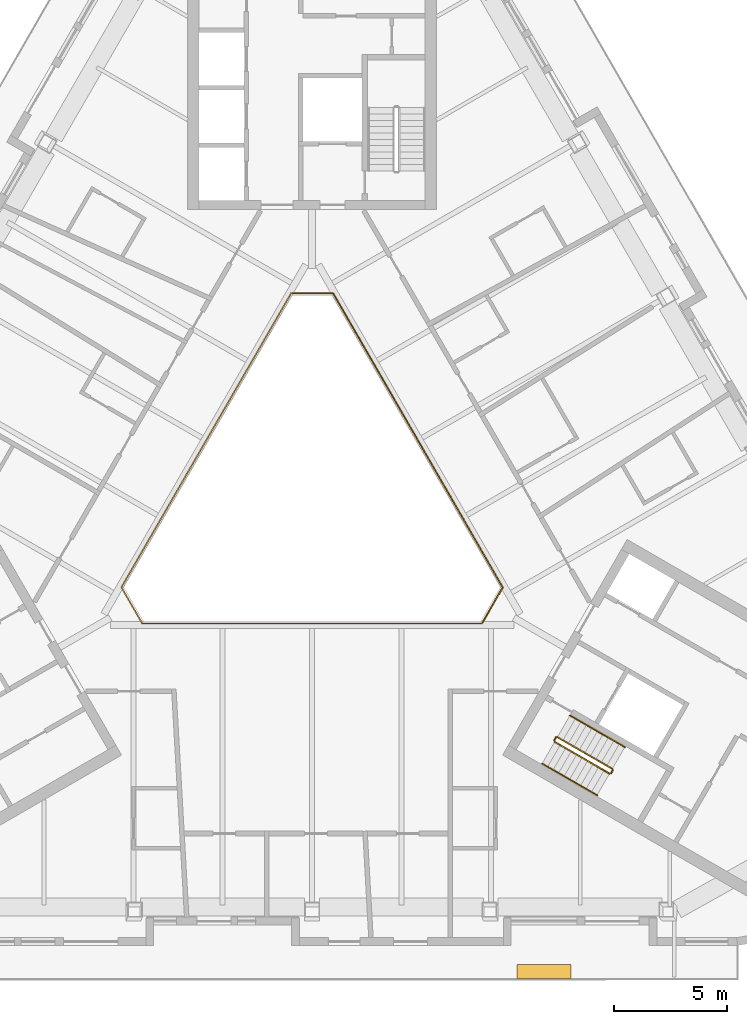
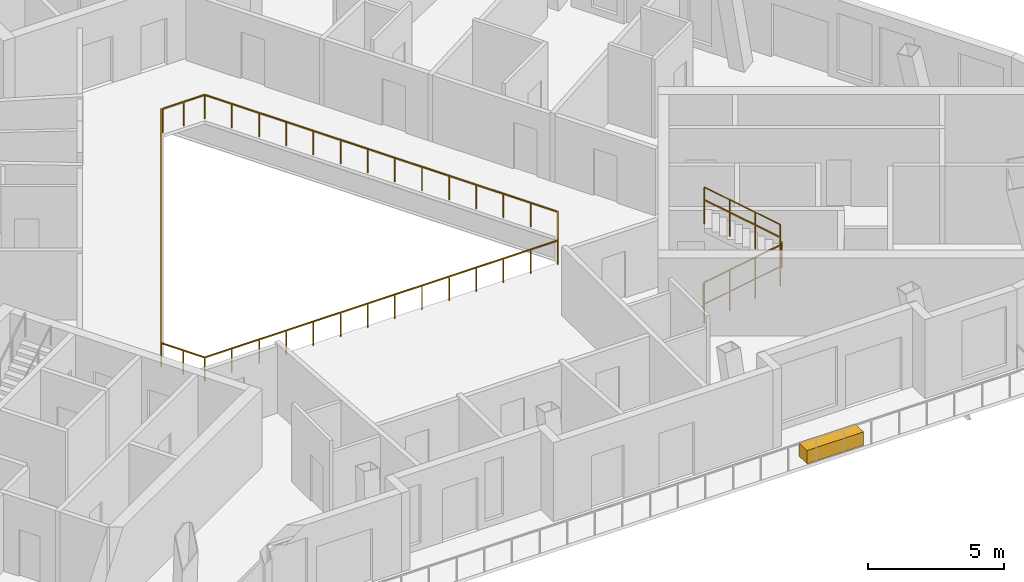
# One storey, part 12 of 14: 8 railings, 1 covering.
"""IFC4 building model written with IfcOpenShell, lengths in metres."""

import ifcopenshell
import ifcopenshell.guid

model = None  # the IFC model being written
_history = None  # IfcOwnerHistory: only IFC2X3 demands one
_inside = {}  # id of a spatial element -> (the spatial element, [elements in it])
_under = {}  # id of a project, library or spatial element -> (it, [spatial elements below it])
_declared = {}  # id of a project -> (the project, [libraries it declares])
_typed = {}  # id of a type object -> (the type object, [elements of that type])
_made_of = {}  # id of a material, layer set ... -> (it, [elements and type objects made of it])


def new_model(schema):
    """Start an empty IFC model of exactly this schema.

    Asked for "IFC4X3", IfcOpenShell would pick the latest addendum, in which some entities
    have other attributes; the version numbers below select the first issue.
    IFC2X3 requires an IfcOwnerHistory on every rooted entity: one is made here for all.
    """
    global model, _history
    if schema == "IFC4X3":
        model = ifcopenshell.file(schema_version=(4, 3, 0, 0))
    else:
        model = ifcopenshell.file(schema=schema)
    _inside.clear()
    _under.clear()
    _declared.clear()
    _typed.clear()
    _made_of.clear()
    _history = None
    if model.schema == "IFC2X3":
        org = make("IfcOrganization", Name="unknown")
        user = make(
            "IfcPersonAndOrganization",
            ThePerson=make("IfcPerson", FamilyName="unknown"),
            TheOrganization=org,
        )
        app = make(
            "IfcApplication",
            ApplicationDeveloper=org,
            Version="unknown",
            ApplicationFullName="unknown",
            ApplicationIdentifier="unknown",
        )
        _history = make(
            "IfcOwnerHistory",
            OwningUser=user,
            OwningApplication=app,
            ChangeAction="ADDED",
            CreationDate=0,
        )
    return model


def make(cls, **values):
    """One entity of the class cls with the attributes given. An attribute that is None is left unset."""
    return model.create_entity(
        cls, **{name: value for name, value in values.items() if value is not None}
    )


def rooted(cls, **values):
    """An entity with a GlobalId (a new one), such as an element, a storey or a relation."""
    return make(cls, GlobalId=ifcopenshell.guid.new(), OwnerHistory=_history, **values)


def si_unit(unit_type, name, prefix=None):
    """IfcSIUnit, for example si_unit("LENGTHUNIT", "METRE", prefix="MILLI")."""
    return make("IfcSIUnit", UnitType=unit_type, Prefix=prefix, Name=name)


def assignment(units):
    """IfcUnitAssignment: the units of a project."""
    return None if units is None else make("IfcUnitAssignment", Units=units)


def point(xyz):
    """IfcCartesianPoint."""
    return None if xyz is None else make("IfcCartesianPoint", Coordinates=xyz)


def direction(xyz):
    """IfcDirection."""
    return None if xyz is None else make("IfcDirection", DirectionRatios=xyz)


def frame(location, z_axis=None, x_axis=None):
    """IfcAxis2Placement3D, a coordinate frame: its origin and axes. An axis left out is left unset."""
    return make(
        "IfcAxis2Placement3D",
        Location=point(location),
        Axis=direction(z_axis),
        RefDirection=direction(x_axis),
    )


def frame_2d(location, x_axis=None):
    """IfcAxis2Placement2D, a coordinate frame in the plane: its origin and x axis."""
    return make(
        "IfcAxis2Placement2D", Location=point(location), RefDirection=direction(x_axis)
    )


def origin():
    """The frame at (0, 0, 0) with its axes left unset."""
    return frame((0.0, 0.0, 0.0))


def origin_2d():
    """The frame at (0, 0) in the plane with its x axis left unset."""
    return frame_2d((0.0, 0.0))


def place(relative_to, where):
    """IfcLocalPlacement: puts the frame where relative to a parent placement (None: the world)."""
    return make(
        "IfcLocalPlacement", PlacementRelTo=relative_to, RelativePlacement=where
    )


def context(
    kind, dimensions, precision=None, world=None, true_north=None, identifier=None
):
    """IfcGeometricRepresentationContext, for example the 3D "Model" context."""
    return make(
        "IfcGeometricRepresentationContext",
        ContextIdentifier=identifier,
        ContextType=kind,
        CoordinateSpaceDimension=dimensions,
        Precision=precision,
        WorldCoordinateSystem=world,
        TrueNorth=true_north,
    )


def subcontext(parent, identifier, kind, view, scale=None):
    """IfcGeometricRepresentationSubContext, for example "Body" below "Model"."""
    return make(
        "IfcGeometricRepresentationSubContext",
        ContextIdentifier=identifier,
        ContextType=kind,
        ParentContext=parent,
        TargetScale=scale,
        TargetView=view,
    )


def project(units=None, contexts=None):
    """IfcProject with its units and contexts."""
    return rooted(
        "IfcProject",
        Name="project",
        RepresentationContexts=contexts,
        UnitsInContext=assignment(units),
    )


def spatial(cls, under=None, at=None, **own):
    """A site, building, storey or space (cls), placed at a placement, below another one or the project."""
    s = rooted(cls, ObjectPlacement=at, **own)
    if under is not None:
        _under.setdefault(under.id(), (under, []))[1].append(s)
    return s


def profile(cls, at=None, kind="AREA", **sizes):
    """A parametric profile (cls). Its sizes go by their IFC names, for example OverallWidth=200.0."""
    return make(cls, ProfileType=kind, Position=at, **sizes)


def rectangle(**sizes):
    """IfcRectangleProfileDef."""
    return profile("IfcRectangleProfileDef", **sizes)


def circle(**sizes):
    """IfcCircleProfileDef."""
    return profile("IfcCircleProfileDef", **sizes)


def extrude(swept, where, along, depth):
    """IfcExtrudedAreaSolid: the profile swept, set in the frame where, extruded along a direction by depth."""
    return make(
        "IfcExtrudedAreaSolid",
        SweptArea=swept,
        Position=where,
        ExtrudedDirection=direction(along),
        Depth=depth,
    )


def shape(context_of_items, identifier, shape_type, items):
    """IfcShapeRepresentation: the items that make up one representation, for example the "Body"."""
    return make(
        "IfcShapeRepresentation",
        ContextOfItems=context_of_items,
        RepresentationIdentifier=identifier,
        RepresentationType=shape_type,
        Items=items,
    )


def material(Name=None, Category=None):
    """IfcMaterial."""
    return make("IfcMaterial", Name=Name, Category=Category)


def made_of(thing, what):
    """Note that an element or type object is made of a material, layer set ...; save() writes the relation."""
    if what is not None:
        _made_of.setdefault(what.id(), (what, []))[1].append(thing)
    return thing


def type_object(cls, material=None, **own):
    """A type object (cls), such as IfcWallType, which elements share."""
    return made_of(rooted(cls, **own), material)


def element(
    cls,
    number,
    at=None,
    inside=None,
    cuts=None,
    type_object=None,
    material=None,
    context=None,
    identifier="Body",
    shape_type=None,
    held_by="IfcProductDefinitionShape",
    body=None,
    shapes=None,
    **own,
):
    """One element of the class cls, such as IfcWall. Its Tag is "e" and its number.

    at: its placement. inside: the storey or other place that contains it. cuts: it is an
    opening in that element (IfcRelVoidsElement). A single representation is given by context,
    identifier, shape_type and body (its items); several are given by shapes. held_by: the class
    of the entity that holds the representations. save() writes the other relations.
    """
    e = rooted(cls, Tag="e%d" % number, ObjectPlacement=at, **own)
    if body is not None:
        shapes = [shape(context, identifier, shape_type, body)]
    if shapes is not None:
        e.Representation = make(held_by, Representations=shapes)
    if inside is not None:
        _inside.setdefault(inside.id(), (inside, []))[1].append(e)
    if cuts is not None:
        rooted(
            "IfcRelVoidsElement", RelatingBuildingElement=cuts, RelatedOpeningElement=e
        )
    if type_object is not None:
        _typed.setdefault(type_object.id(), (type_object, []))[1].append(e)
    return made_of(e, material)


def aggregate(whole, parts):
    """IfcRelAggregates: a whole, such as a stair, and the parts it consists of."""
    return rooted("IfcRelAggregates", RelatingObject=whole, RelatedObjects=parts)


def save(model, path):
    """Write the relations noted so far, then the file.

    IfcRelAggregates (storeys below a building ...), IfcRelContainedInSpatialStructure (elements
    in a storey), IfcRelDefinesByType, IfcRelAssociatesMaterial and IfcRelDeclares: one each for
    every whole, place, type object, material and project.
    """
    for whole, parts in _under.values():
        aggregate(whole, parts)
    for where, things in _inside.values():
        rooted(
            "IfcRelContainedInSpatialStructure",
            RelatedElements=things,
            RelatingStructure=where,
        )
    for kind, things in _typed.values():
        rooted("IfcRelDefinesByType", RelatedObjects=things, RelatingType=kind)
    for what, things in _made_of.values():
        rooted("IfcRelAssociatesMaterial", RelatedObjects=things, RelatingMaterial=what)
    for by, libraries in _declared.values():
        rooted("IfcRelDeclares", RelatingContext=by, RelatedDefinitions=libraries)
    model.write(path)


model = new_model("IFC4")

# Units and contexts
model_context = context("Model", 3, precision=1e-05, world=origin(), true_north=direction((0.0, 1.0)))
body_context = subcontext(model_context, "Body", "Model", "MODEL_VIEW")
ifc_project = project(units=[si_unit("LENGTHUNIT", "METRE"), si_unit("AREAUNIT", "SQUARE_METRE"), si_unit("VOLUMEUNIT", "CUBIC_METRE"), si_unit("PLANEANGLEUNIT", "RADIAN"), si_unit("MASSUNIT", "GRAM", prefix="KILO")], contexts=[model_context])

# Site, building, storey
site_placement = place(None, origin())
site = spatial("IfcSite", under=ifc_project, at=site_placement, CompositionType="ELEMENT")
building_placement = place(site_placement, origin())
building = spatial("IfcBuilding", under=site, at=building_placement, Name="Apuvela Tower Hotel", CompositionType="ELEMENT")
storey_placement = place(building_placement, frame((0.0, 0.0, 254.10009765625)))
storey = spatial("IfcBuildingStorey", under=building, at=storey_placement, Name="L62", CompositionType="ELEMENT", Elevation=254.10009765625)

# Railings
ifc_material_1 = material(Name="Steel S275 balustrade", Category="steel")
railing_type_1 = type_object("IfcRailingType", Name="COR-GUARD-1100", PredefinedType="GUARDRAIL", material=ifc_material_1)
railing_1_placement = place(storey_placement, frame((10.718994140625, -10.63427734375, 0.16796875)))
element("IfcRailing", 1, at=railing_1_placement, inside=storey, type_object=railing_type_1, Name="L62 ST3 stair guard 1", PredefinedType="GUARDRAIL", context=body_context, shape_type="SweptSolid", body=[
    extrude(rectangle(XDim=0.048095703125, YDim=0.048095703125, at=origin_2d()), frame((0.0, 0.0, 1.076171875), z_axis=(0.742390482028, -0.42860119049, 0.514934356695), x_axis=(0.49998411664, 0.866034573852, 0.0)), (0.0, 0.0, 1.0), 3.26611328125),
    extrude(rectangle(XDim=0.0419921875, YDim=0.0419921875, at=origin_2d()), origin(), (0.0, 0.0, 1.0), 1.052001953125),
    extrude(rectangle(XDim=0.0419921875, YDim=0.0419921875, at=origin_2d()), frame((0.808349609375, -0.466552734375, 0.560546875)), (0.0, 0.0, 1.0), 1.052001953125),
    extrude(rectangle(XDim=0.0419921875, YDim=0.0419921875, at=origin_2d()), frame((1.616455078125, -0.933349609375, 1.121337890625)), (0.0, 0.0, 1.0), 1.052001953125),
    extrude(rectangle(XDim=0.0419921875, YDim=0.0419921875, at=origin_2d()), frame((2.4248046875, -1.39990234375, 1.681884765625)), (0.0, 0.0, 1.0), 1.052001953125),
])
railing_2_placement = place(storey_placement, frame((13.212158203125, -12.015869140625, 1.849853515625)))
element("IfcRailing", 2, at=railing_2_placement, inside=storey, type_object=railing_type_1, Name="L62 ST3 stair guard 2", PredefinedType="GUARDRAIL", context=body_context, shape_type="SweptSolid", body=[
    extrude(rectangle(XDim=0.048095703125, YDim=0.048095703125, at=origin_2d()), frame((0.0, 0.0, 1.076171875), z_axis=(0.499816412211, 0.866131372301, 0.0), x_axis=(-0.866131372301, 0.499816412211, 0.0)), (0.0, 0.0, 1.0), 0.14990234375),
    extrude(rectangle(XDim=0.0419921875, YDim=0.0419921875, at=origin_2d()), origin(), (0.0, 0.0, 1.0), 1.052001953125),
    extrude(rectangle(XDim=0.0419921875, YDim=0.0419921875, at=origin_2d()), frame((0.074951171875, 0.1298828125, 0.0)), (0.0, 0.0, 1.0), 1.052001953125),
])
railing_3_placement = place(storey_placement, frame((13.268798828125, -11.817626953125, 2.01806640625)))
element("IfcRailing", 3, at=railing_3_placement, inside=storey, type_object=railing_type_1, Name="L62 ST3 stair guard 3", PredefinedType="GUARDRAIL", context=body_context, shape_type="SweptSolid", body=[
    extrude(rectangle(XDim=0.048095703125, YDim=0.048095703125, at=origin_2d()), frame((0.0, 0.0, 1.076171875), z_axis=(-0.742390482028, 0.42860119049, 0.514934356695), x_axis=(-0.49998411664, -0.866034573852, 0.0)), (0.0, 0.0, 1.0), 3.26611328125),
    extrude(rectangle(XDim=0.0419921875, YDim=0.0419921875, at=origin_2d()), origin(), (0.0, 0.0, 1.0), 1.052001953125),
    extrude(rectangle(XDim=0.0419921875, YDim=0.0419921875, at=origin_2d()), frame((-0.808349609375, 0.466552734375, 0.560546875)), (0.0, 0.0, 1.0), 1.052001953125),
    extrude(rectangle(XDim=0.0419921875, YDim=0.0419921875, at=origin_2d()), frame((-1.616455078125, 0.933349609375, 1.121337890625)), (0.0, 0.0, 1.0), 1.052001953125),
    extrude(rectangle(XDim=0.0419921875, YDim=0.0419921875, at=origin_2d()), frame((-2.4248046875, 1.39990234375, 1.681884765625)), (0.0, 0.0, 1.0), 1.052001953125),
])
railing_4_placement = place(storey_placement, frame((10.70068359375, -10.56591796875, 0.0)))
element("IfcRailing", 4, at=railing_4_placement, inside=storey, type_object=railing_type_1, Name="L62 ST3 stair guard 4", PredefinedType="GUARDRAIL", context=body_context, shape_type="SweptSolid", body=[
    extrude(rectangle(XDim=0.048095703125, YDim=0.048095703125, at=origin_2d()), frame((0.0, 0.0, 1.076171875), z_axis=(0.499816412211, 0.866131372301, 0.0), x_axis=(-0.866131372301, 0.499816412211, 0.0)), (0.0, 0.0, 1.0), 0.14990234375),
    extrude(rectangle(XDim=0.0419921875, YDim=0.0419921875, at=origin_2d()), origin(), (0.0, 0.0, 1.0), 1.052001953125),
    extrude(rectangle(XDim=0.0419921875, YDim=0.0419921875, at=origin_2d()), frame((0.074951171875, 0.1298828125, 0.0)), (0.0, 0.0, 1.0), 1.052001953125),
])
ifc_material_2 = material(Name="Stainless steel 316 handrail", Category="steel")
railing_type_2 = type_object("IfcRailingType", Name="COR-HANDRAIL-900", PredefinedType="HANDRAIL", material=ifc_material_2)
railing_5_placement = place(storey_placement, frame((10.1689453125, -11.5869140625, 0.16796875)))
element("IfcRailing", 5, at=railing_5_placement, inside=storey, type_object=railing_type_2, Name="L62 ST3 stair handrail 1", PredefinedType="HANDRAIL", context=body_context, shape_type="SweptSolid", body=[
    extrude(circle(Radius=0.02392578125, at=origin_2d()), frame((0.0, 0.0, 0.8759765625), z_axis=(0.742390482028, -0.42860119049, 0.514934356695), x_axis=(0.49998411664, 0.866034573852, 0.0)), (0.0, 0.0, 1.0), 3.26611328125),
    extrude(rectangle(XDim=0.0419921875, YDim=0.0419921875, at=origin_2d()), origin(), (0.0, 0.0, 1.0), 0.851806640625),
    extrude(rectangle(XDim=0.0419921875, YDim=0.0419921875, at=origin_2d()), frame((0.808349609375, -0.466552734375, 0.560546875)), (0.0, 0.0, 1.0), 0.851806640625),
    extrude(rectangle(XDim=0.0419921875, YDim=0.0419921875, at=origin_2d()), frame((1.616455078125, -0.933349609375, 1.121337890625)), (0.0, 0.0, 1.0), 0.851806640625),
    extrude(rectangle(XDim=0.0419921875, YDim=0.0419921875, at=origin_2d()), frame((2.4248046875, -1.39990234375, 1.681884765625)), (0.0, 0.0, 1.0), 0.851806640625),
])
railing_6_placement = place(storey_placement, frame((13.81884765625, -10.864990234375, 2.01806640625)))
element("IfcRailing", 6, at=railing_6_placement, inside=storey, type_object=railing_type_2, Name="L62 ST3 stair handrail 2", PredefinedType="HANDRAIL", context=body_context, shape_type="SweptSolid", body=[
    extrude(circle(Radius=0.02392578125, at=origin_2d()), frame((0.0, 0.0, 0.8759765625), z_axis=(-0.742390482028, 0.42860119049, 0.514934356695), x_axis=(-0.49998411664, -0.866034573852, 0.0)), (0.0, 0.0, 1.0), 3.26611328125),
    extrude(rectangle(XDim=0.0419921875, YDim=0.0419921875, at=origin_2d()), origin(), (0.0, 0.0, 1.0), 0.851806640625),
    extrude(rectangle(XDim=0.0419921875, YDim=0.0419921875, at=origin_2d()), frame((-0.808349609375, 0.466552734375, 0.560546875)), (0.0, 0.0, 1.0), 0.851806640625),
    extrude(rectangle(XDim=0.0419921875, YDim=0.0419921875, at=origin_2d()), frame((-1.616455078125, 0.933349609375, 1.121337890625)), (0.0, 0.0, 1.0), 0.851806640625),
    extrude(rectangle(XDim=0.0419921875, YDim=0.0419921875, at=origin_2d()), frame((-2.4248046875, 1.39990234375, 1.681884765625)), (0.0, 0.0, 1.0), 0.851806640625),
])
ifc_material_3 = material(Name="Stainless steel 316 rail with laminated glass infill", Category="steel")
railing_type_3 = type_object("IfcRailingType", Name="ENV-GUARD-1100", PredefinedType="GUARDRAIL", material=ifc_material_3)
railing_7_placement = place(storey_placement, frame((-0.923828125, 9.199951171875, 0.0)))
element("IfcRailing", 7, at=railing_7_placement, inside=storey, type_object=railing_type_3, Name="Atrium void guard A L62", PredefinedType="GUARDRAIL", context=body_context, shape_type="SweptSolid", body=[
    extrude(rectangle(XDim=0.050048828125, YDim=0.050048828125, at=origin_2d()), frame((0.0, 0.0, 1.0751953125), z_axis=(-0.499990886379, -0.866030665472, 0.0), x_axis=(0.866030665472, -0.499990886379, 0.0)), (0.0, 0.0, 1.0), 15.010986328125),
    extrude(rectangle(XDim=0.050048828125, YDim=0.050048828125, at=origin_2d()), frame((-7.50537109375, -13.0, 1.0751953125), z_axis=(0.499962699187, -0.866046938348, 0.0), x_axis=(0.866046938348, 0.499962699187, 0.0)), (0.0, 0.0, 1.0), 1.847412109375),
    extrude(rectangle(XDim=0.050048828125, YDim=0.050048828125, at=origin_2d()), frame((-6.581787109375, -14.599853515625, 1.0751953125), z_axis=(1.0, 0.0, 0.0), x_axis=(0.0, 1.0, 0.0)), (0.0, 0.0, 1.0), 15.01123046875),
    extrude(rectangle(XDim=0.0400390625, YDim=0.0400390625, at=origin_2d()), origin(), (0.0, 0.0, 1.0), 1.050048828125),
    extrude(rectangle(XDim=0.0400390625, YDim=0.0400390625, at=origin_2d()), frame((-0.577392578125, -1.0, 0.0)), (0.0, 0.0, 1.0), 1.050048828125),
    extrude(rectangle(XDim=0.0400390625, YDim=0.0400390625, at=origin_2d()), frame((-1.15478515625, -2.0, 0.0)), (0.0, 0.0, 1.0), 1.050048828125),
    extrude(rectangle(XDim=0.0400390625, YDim=0.0400390625, at=origin_2d()), frame((-1.73193359375, -3.0, 0.0)), (0.0, 0.0, 1.0), 1.050048828125),
    extrude(rectangle(XDim=0.0400390625, YDim=0.0400390625, at=origin_2d()), frame((-2.309326171875, -4.0, 0.0)), (0.0, 0.0, 1.0), 1.050048828125),
    extrude(rectangle(XDim=0.0400390625, YDim=0.0400390625, at=origin_2d()), frame((-2.88671875, -5.0, 0.0)), (0.0, 0.0, 1.0), 1.050048828125),
    extrude(rectangle(XDim=0.0400390625, YDim=0.0400390625, at=origin_2d()), frame((-3.464111328125, -6.0, 0.0)), (0.0, 0.0, 1.0), 1.050048828125),
    extrude(rectangle(XDim=0.0400390625, YDim=0.0400390625, at=origin_2d()), frame((-4.041259765625, -7.0, 0.0)), (0.0, 0.0, 1.0), 1.050048828125),
    extrude(rectangle(XDim=0.0400390625, YDim=0.0400390625, at=origin_2d()), frame((-4.61865234375, -8.0, 0.0)), (0.0, 0.0, 1.0), 1.050048828125),
    extrude(rectangle(XDim=0.0400390625, YDim=0.0400390625, at=origin_2d()), frame((-5.196044921875, -9.0, 0.0)), (0.0, 0.0, 1.0), 1.050048828125),
    extrude(rectangle(XDim=0.0400390625, YDim=0.0400390625, at=origin_2d()), frame((-5.7734375, -10.0, 0.0)), (0.0, 0.0, 1.0), 1.050048828125),
    extrude(rectangle(XDim=0.0400390625, YDim=0.0400390625, at=origin_2d()), frame((-6.3505859375, -11.0, 0.0)), (0.0, 0.0, 1.0), 1.050048828125),
    extrude(rectangle(XDim=0.0400390625, YDim=0.0400390625, at=origin_2d()), frame((-6.927978515625, -12.0, 0.0)), (0.0, 0.0, 1.0), 1.050048828125),
    extrude(rectangle(XDim=0.0400390625, YDim=0.0400390625, at=origin_2d()), frame((-7.50537109375, -13.0, 0.0)), (0.0, 0.0, 1.0), 1.050048828125),
    extrude(rectangle(XDim=0.0400390625, YDim=0.0400390625, at=origin_2d()), frame((-7.04345703125, -13.7998046875, 0.0)), (0.0, 0.0, 1.0), 1.050048828125),
    extrude(rectangle(XDim=0.0400390625, YDim=0.0400390625, at=origin_2d()), frame((-6.581787109375, -14.599853515625, 0.0)), (0.0, 0.0, 1.0), 1.050048828125),
    extrude(rectangle(XDim=0.0400390625, YDim=0.0400390625, at=origin_2d()), frame((-5.427001953125, -14.599853515625, 0.0)), (0.0, 0.0, 1.0), 1.050048828125),
    extrude(rectangle(XDim=0.0400390625, YDim=0.0400390625, at=origin_2d()), frame((-4.2724609375, -14.599853515625, 0.0)), (0.0, 0.0, 1.0), 1.050048828125),
    extrude(rectangle(XDim=0.0400390625, YDim=0.0400390625, at=origin_2d()), frame((-3.11767578125, -14.599853515625, 0.0)), (0.0, 0.0, 1.0), 1.050048828125),
    extrude(rectangle(XDim=0.0400390625, YDim=0.0400390625, at=origin_2d()), frame((-1.962890625, -14.599853515625, 0.0)), (0.0, 0.0, 1.0), 1.050048828125),
    extrude(rectangle(XDim=0.0400390625, YDim=0.0400390625, at=origin_2d()), frame((-0.808349609375, -14.599853515625, 0.0)), (0.0, 0.0, 1.0), 1.050048828125),
    extrude(rectangle(XDim=0.0400390625, YDim=0.0400390625, at=origin_2d()), frame((0.346435546875, -14.599853515625, 0.0)), (0.0, 0.0, 1.0), 1.050048828125),
    extrude(rectangle(XDim=0.0400390625, YDim=0.0400390625, at=origin_2d()), frame((1.501220703125, -14.599853515625, 0.0)), (0.0, 0.0, 1.0), 1.050048828125),
    extrude(rectangle(XDim=0.0400390625, YDim=0.0400390625, at=origin_2d()), frame((2.656005859375, -14.599853515625, 0.0)), (0.0, 0.0, 1.0), 1.050048828125),
    extrude(rectangle(XDim=0.0400390625, YDim=0.0400390625, at=origin_2d()), frame((3.810546875, -14.599853515625, 0.0)), (0.0, 0.0, 1.0), 1.050048828125),
    extrude(rectangle(XDim=0.0400390625, YDim=0.0400390625, at=origin_2d()), frame((4.96533203125, -14.599853515625, 0.0)), (0.0, 0.0, 1.0), 1.050048828125),
    extrude(rectangle(XDim=0.0400390625, YDim=0.0400390625, at=origin_2d()), frame((6.1201171875, -14.599853515625, 0.0)), (0.0, 0.0, 1.0), 1.050048828125),
    extrude(rectangle(XDim=0.0400390625, YDim=0.0400390625, at=origin_2d()), frame((7.274658203125, -14.599853515625, 0.0)), (0.0, 0.0, 1.0), 1.050048828125),
    extrude(rectangle(XDim=0.0400390625, YDim=0.0400390625, at=origin_2d()), frame((8.429443359375, -14.599853515625, 0.0)), (0.0, 0.0, 1.0), 1.050048828125),
])
railing_8_placement = place(storey_placement, frame((7.53564453125, -5.347900390625, 0.0)))
element("IfcRailing", 8, at=railing_8_placement, inside=storey, type_object=railing_type_3, Name="Atrium void guard B L62", PredefinedType="GUARDRAIL", context=body_context, shape_type="SweptSolid", body=[
    extrude(rectangle(XDim=0.050048828125, YDim=0.050048828125, at=origin_2d()), frame((0.0, 0.0, 1.0751953125), z_axis=(0.499958946799, 0.866049104564, 0.0), x_axis=(-0.866049104564, 0.499958946799, 0.0)), (0.0, 0.0, 1.0), 1.787353515625),
    extrude(rectangle(XDim=0.050048828125, YDim=0.050048828125, at=origin_2d()), frame((0.8935546875, 1.5478515625, 1.0751953125), z_axis=(-0.499990886379, 0.866030665472, 0.0), x_axis=(-0.866030665472, -0.499990886379, 0.0)), (0.0, 0.0, 1.0), 15.010986328125),
    extrude(rectangle(XDim=0.050048828125, YDim=0.050048828125, at=origin_2d()), frame((-6.61181640625, 14.5478515625, 1.0751953125), z_axis=(-1.0, 0.0, 0.0), x_axis=(0.0, -1.0, 0.0)), (0.0, 0.0, 1.0), 1.78759765625),
    extrude(rectangle(XDim=0.0400390625, YDim=0.0400390625, at=origin_2d()), origin(), (0.0, 0.0, 1.0), 1.050048828125),
    extrude(rectangle(XDim=0.0400390625, YDim=0.0400390625, at=origin_2d()), frame((0.44677734375, 0.77392578125, 0.0)), (0.0, 0.0, 1.0), 1.050048828125),
    extrude(rectangle(XDim=0.0400390625, YDim=0.0400390625, at=origin_2d()), frame((0.8935546875, 1.5478515625, 0.0)), (0.0, 0.0, 1.0), 1.050048828125),
    extrude(rectangle(XDim=0.0400390625, YDim=0.0400390625, at=origin_2d()), frame((0.316162109375, 2.5478515625, 0.0)), (0.0, 0.0, 1.0), 1.050048828125),
    extrude(rectangle(XDim=0.0400390625, YDim=0.0400390625, at=origin_2d()), frame((-0.26123046875, 3.5478515625, 0.0)), (0.0, 0.0, 1.0), 1.050048828125),
    extrude(rectangle(XDim=0.0400390625, YDim=0.0400390625, at=origin_2d()), frame((-0.83837890625, 4.5478515625, 0.0)), (0.0, 0.0, 1.0), 1.050048828125),
    extrude(rectangle(XDim=0.0400390625, YDim=0.0400390625, at=origin_2d()), frame((-1.415771484375, 5.5478515625, 0.0)), (0.0, 0.0, 1.0), 1.050048828125),
    extrude(rectangle(XDim=0.0400390625, YDim=0.0400390625, at=origin_2d()), frame((-1.9931640625, 6.5478515625, 0.0)), (0.0, 0.0, 1.0), 1.050048828125),
    extrude(rectangle(XDim=0.0400390625, YDim=0.0400390625, at=origin_2d()), frame((-2.570556640625, 7.5478515625, 0.0)), (0.0, 0.0, 1.0), 1.050048828125),
    extrude(rectangle(XDim=0.0400390625, YDim=0.0400390625, at=origin_2d()), frame((-3.147705078125, 8.5478515625, 0.0)), (0.0, 0.0, 1.0), 1.050048828125),
    extrude(rectangle(XDim=0.0400390625, YDim=0.0400390625, at=origin_2d()), frame((-3.72509765625, 9.5478515625, 0.0)), (0.0, 0.0, 1.0), 1.050048828125),
    extrude(rectangle(XDim=0.0400390625, YDim=0.0400390625, at=origin_2d()), frame((-4.302490234375, 10.5478515625, 0.0)), (0.0, 0.0, 1.0), 1.050048828125),
    extrude(rectangle(XDim=0.0400390625, YDim=0.0400390625, at=origin_2d()), frame((-4.8798828125, 11.5478515625, 0.0)), (0.0, 0.0, 1.0), 1.050048828125),
    extrude(rectangle(XDim=0.0400390625, YDim=0.0400390625, at=origin_2d()), frame((-5.45703125, 12.5478515625, 0.0)), (0.0, 0.0, 1.0), 1.050048828125),
    extrude(rectangle(XDim=0.0400390625, YDim=0.0400390625, at=origin_2d()), frame((-6.034423828125, 13.5478515625, 0.0)), (0.0, 0.0, 1.0), 1.050048828125),
    extrude(rectangle(XDim=0.0400390625, YDim=0.0400390625, at=origin_2d()), frame((-6.61181640625, 14.5478515625, 0.0)), (0.0, 0.0, 1.0), 1.050048828125),
    extrude(rectangle(XDim=0.0400390625, YDim=0.0400390625, at=origin_2d()), frame((-7.505615234375, 14.5478515625, 0.0)), (0.0, 0.0, 1.0), 1.050048828125),
    extrude(rectangle(XDim=0.0400390625, YDim=0.0400390625, at=origin_2d()), frame((-8.3994140625, 14.5478515625, 0.0)), (0.0, 0.0, 1.0), 1.050048828125),
])

# Covering
ifc_material_4 = material(Name="Planting substrate and soil, planted")
covering_type = type_object("IfcCoveringType", Name="ENV-PLANTER-2400x600", PredefinedType="USERDEFINED", material=ifc_material_4)
covering_placement = place(storey_placement, frame((10.250244140625, -20.780029296875, -0.000244140625), z_axis=(0.0, 0.0, 1.0), x_axis=(1.0, 0.0, 0.0)))
element("IfcCovering", 9, at=covering_placement, inside=storey, type_object=covering_type, Name="Planter S2", ObjectType="PLANTER", PredefinedType="USERDEFINED", context=body_context, shape_type="SweptSolid", body=[
    extrude(rectangle(XDim=2.39990234375, YDim=0.60009765625, at=origin_2d()), origin(), (0.0, 0.0, 1.0), 0.60009765625),
])

save(model, "model.ifc")
